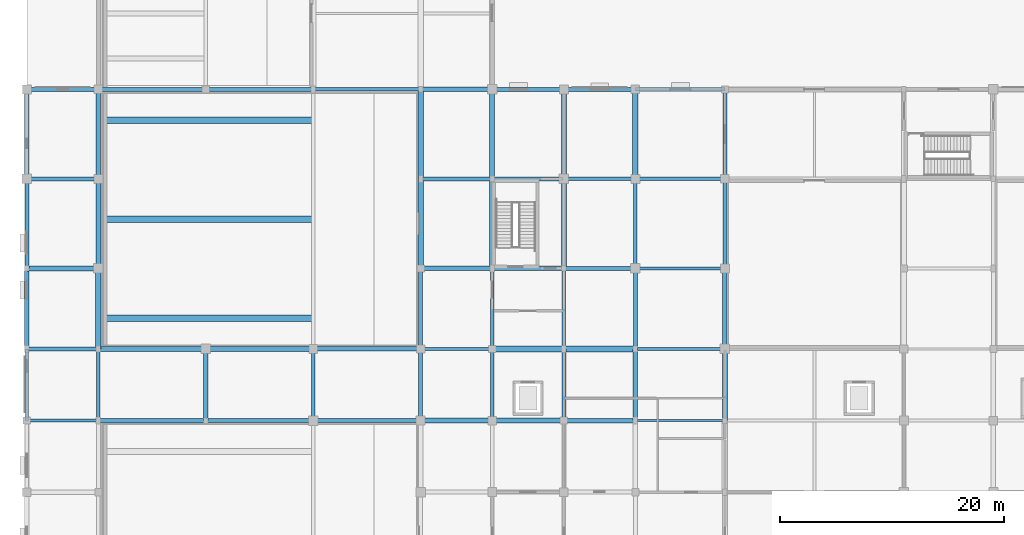
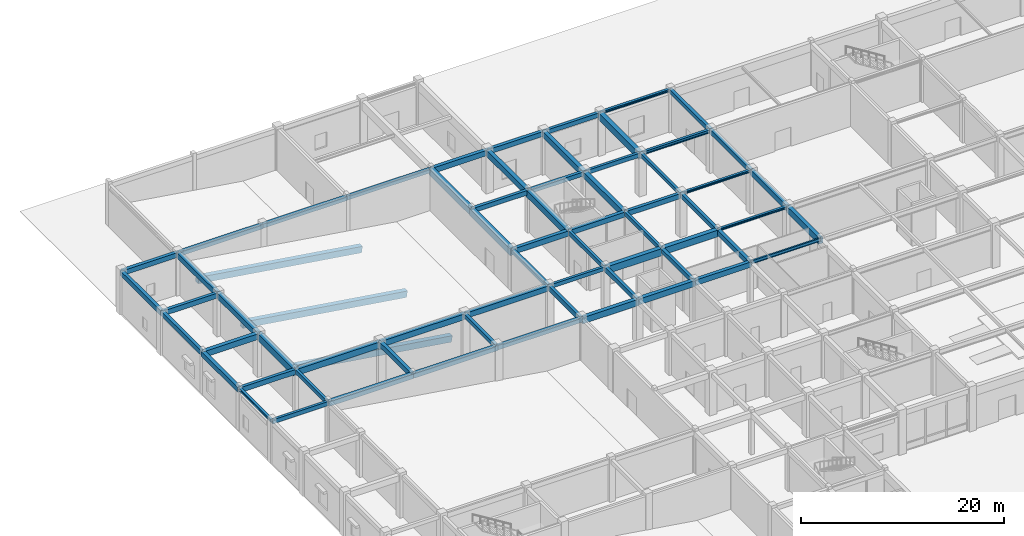
# One storey, part 13 of 40: 67 beams.
"""IFC4 building model written with IfcOpenShell, lengths in metres."""

from ifc_helpers import new_model, si_unit, direction, frame, origin, origin_2d, place, context, subcontext, project, spatial, rectangle, i_section, extrude, material, material_profile, profile_set, type_object, element, save


model = new_model("IFC4")

# Units and contexts
model_context = context("Model", 3, precision=1e-05, world=origin(), true_north=direction((0.0, 1.0)))
body_context = subcontext(model_context, "Body", "Model", "MODEL_VIEW")
ifc_project = project(units=[si_unit("LENGTHUNIT", "METRE"), si_unit("AREAUNIT", "SQUARE_METRE"), si_unit("VOLUMEUNIT", "CUBIC_METRE"), si_unit("PLANEANGLEUNIT", "RADIAN"), si_unit("MASSUNIT", "GRAM", prefix="KILO")], contexts=[model_context])

# Site, building, storey
site_placement = place(None, origin())
site = spatial("IfcSite", under=ifc_project, at=site_placement, CompositionType="ELEMENT")
building_placement = place(site_placement, origin())
building = spatial("IfcBuilding", under=site, at=building_placement, Name="Vellmiral Cinema and Media Centre", CompositionType="ELEMENT")
storey_placement = place(building_placement, origin())
storey = spatial("IfcBuildingStorey", under=building, at=storey_placement, Name="L00", CompositionType="ELEMENT", Elevation=0.0)

# Beams
ifc_material_1 = material(Name="Concrete C40/50", Category="concrete")
ifc_material_profile_1 = material_profile(ifc_material_1, rectangle(XDim=0.300048828125, YDim=0.449951171875, at=origin_2d()), Name="RC 300x450")
ifc_profile_set_1 = profile_set([ifc_material_profile_1], Name="Concrete C40/50")
beam_type_1 = type_object("IfcBeamType", Name="BM-RC-300x450", PredefinedType="BEAM", material=ifc_profile_set_1)
beam_1_placement = place(storey_placement, frame((35.199951171875, 72.0, 4.85009765625), z_axis=(1.0, 0.0, 0.0), x_axis=(0.0, 1.0, 0.0)))
element("IfcBeam", 1, at=beam_1_placement, inside=storey, type_object=beam_type_1, Name="Grid Beam L00-X107", PredefinedType="BEAM", context=body_context, shape_type="SweptSolid", body=[
    extrude(rectangle(XDim=0.300048828125, YDim=0.449951171875, at=origin_2d()), origin(), (0.0, 0.0, 1.0), 6.400146484375),
])
beam_2_placement = place(storey_placement, frame((48.0, 72.0, 4.85009765625), z_axis=(0.0, 1.0, 0.0), x_axis=(-1.0, 0.0, 0.0)))
element("IfcBeam", 2, at=beam_2_placement, inside=storey, type_object=beam_type_1, Name="Grid Beam L00-Y249", PredefinedType="BEAM", context=body_context, shape_type="SweptSolid", body=[
    extrude(rectangle(XDim=0.300048828125, YDim=0.449951171875, at=origin_2d()), origin(), (0.0, 0.0, 1.0), 7.199951171875),
])
beam_3_placement = place(storey_placement, frame((54.39990234375, 79.199951171875, 4.85009765625), z_axis=(0.0, 1.0, 0.0), x_axis=(-1.0, 0.0, 0.0)))
element("IfcBeam", 3, at=beam_3_placement, inside=storey, type_object=beam_type_1, Name="Grid Beam L00-Y258", PredefinedType="BEAM", context=body_context, shape_type="SweptSolid", body=[
    extrude(rectangle(XDim=0.300048828125, YDim=0.449951171875, at=origin_2d()), origin(), (0.0, 0.0, 1.0), 8.0),
])
ifc_material_2 = material(Name="Concrete C40/50", Category="concrete")
ifc_material_profile_2 = material_profile(ifc_material_2, rectangle(XDim=0.300048828125, YDim=0.5, at=origin_2d()), Name="RC 300x500")
ifc_profile_set_2 = profile_set([ifc_material_profile_2], Name="Concrete C40/50")
beam_type_2 = type_object("IfcBeamType", Name="BM-RC-300x500", PredefinedType="BEAM", material=ifc_profile_set_2)
for number, where, z_axis, x_axis, name in (
    (4, (0.0, 65.60009765625, 4.824951171875), (1.0, 0.0, 0.0), (0.0, 1.0, 0.0), "Grid Beam L00-X084"),
    (5, (48.0, 87.199951171875, 4.824951171875), (1.0, 0.0, 0.0), (0.0, 1.0, 0.0), "Grid Beam L00-X139"),
):
    element("IfcBeam", number, at=place(storey_placement, frame(where, z_axis=z_axis, x_axis=x_axis)), inside=storey, type_object=beam_type_2, Name=name, PredefinedType="BEAM", context=body_context, shape_type="SweptSolid", body=[
        extrude(rectangle(XDim=0.300048828125, YDim=0.5, at=origin_2d()), origin(), (0.0, 0.0, 1.0), 6.39990234375),
    ])
beam_4_placement = place(storey_placement, frame((25.60009765625, 95.199951171875, 4.824951171875), z_axis=(1.0, 0.0, 0.0), x_axis=(0.0, 1.0, 0.0)))
element("IfcBeam", 6, at=beam_4_placement, inside=storey, type_object=beam_type_2, Name="Grid Beam L00-X155", PredefinedType="BEAM", context=body_context, shape_type="SweptSolid", body=[
    extrude(rectangle(XDim=0.300048828125, YDim=0.5, at=origin_2d()), origin(), (0.0, 0.0, 1.0), 9.599853515625),
])
beam_5_placement = place(storey_placement, frame((6.39990234375, 65.60009765625, 4.824951171875), z_axis=(0.0, 1.0, 0.0), x_axis=(-1.0, 0.0, 0.0)))
element("IfcBeam", 7, at=beam_5_placement, inside=storey, type_object=beam_type_2, Name="Grid Beam L00-Y205", PredefinedType="BEAM", context=body_context, shape_type="SweptSolid", body=[
    extrude(rectangle(XDim=0.300048828125, YDim=0.5, at=origin_2d()), origin(), (0.0, 0.0, 1.0), 6.39990234375),
])
beam_6_placement = place(storey_placement, frame((41.60009765625, 72.0, 4.824951171875), z_axis=(0.0, 1.0, 0.0), x_axis=(-1.0, 0.0, 0.0)))
element("IfcBeam", 8, at=beam_6_placement, inside=storey, type_object=beam_type_2, Name="Grid Beam L00-Y237", PredefinedType="BEAM", context=body_context, shape_type="SweptSolid", body=[
    extrude(rectangle(XDim=0.300048828125, YDim=0.5, at=origin_2d()), origin(), (0.0, 0.0, 1.0), 7.199951171875),
])
ifc_material_3 = material(Name="Concrete C40/50", Category="concrete")
ifc_material_profile_3 = material_profile(ifc_material_3, rectangle(XDim=0.35009765625, YDim=0.5, at=origin_2d()), Name="RC 350x500")
ifc_profile_set_3 = profile_set([ifc_material_profile_3], Name="Concrete C40/50")
beam_type_3 = type_object("IfcBeamType", Name="BM-RC-350x500", PredefinedType="BEAM", material=ifc_profile_set_3)
beam_7_placement = place(storey_placement, frame((41.60009765625, 87.199951171875, 4.824951171875), z_axis=(1.0, 0.0, 0.0), x_axis=(0.0, 1.0, 0.0)))
element("IfcBeam", 9, at=beam_7_placement, inside=storey, type_object=beam_type_3, Name="Grid Beam L00-X138", PredefinedType="BEAM", context=body_context, shape_type="SweptSolid", body=[
    extrude(rectangle(XDim=0.35009765625, YDim=0.5, at=origin_2d()), origin(), (0.0, 0.0, 1.0), 6.39990234375),
])
beam_8_placement = place(storey_placement, frame((16.0, 95.199951171875, 4.824951171875), z_axis=(1.0, 0.0, 0.0), x_axis=(0.0, 1.0, 0.0)))
element("IfcBeam", 10, at=beam_8_placement, inside=storey, type_object=beam_type_3, Name="Grid Beam L00-X154", PredefinedType="BEAM", context=body_context, shape_type="SweptSolid", body=[
    extrude(rectangle(XDim=0.35009765625, YDim=0.5, at=origin_2d()), origin(), (0.0, 0.0, 1.0), 9.60009765625),
])
beam_9_placement = place(storey_placement, frame((25.60009765625, 65.60009765625, 4.824951171875), z_axis=(0.0, 1.0, 0.0), x_axis=(-1.0, 0.0, 0.0)))
element("IfcBeam", 11, at=beam_9_placement, inside=storey, type_object=beam_type_3, Name="Grid Beam L00-Y215", PredefinedType="BEAM", context=body_context, shape_type="SweptSolid", body=[
    extrude(rectangle(XDim=0.35009765625, YDim=0.5, at=origin_2d()), origin(), (0.0, 0.0, 1.0), 6.39990234375),
])
beam_10_placement = place(storey_placement, frame((35.199951171875, 72.0, 4.824951171875), z_axis=(0.0, 1.0, 0.0), x_axis=(-1.0, 0.0, 0.0)))
element("IfcBeam", 12, at=beam_10_placement, inside=storey, type_object=beam_type_3, Name="Grid Beam L00-Y225", PredefinedType="BEAM", context=body_context, shape_type="SweptSolid", body=[
    extrude(rectangle(XDim=0.35009765625, YDim=0.5, at=origin_2d()), origin(), (0.0, 0.0, 1.0), 7.199951171875),
])
beam_11_placement = place(storey_placement, frame((48.0, 65.60009765625, 4.824951171875), z_axis=(0.0, 1.0, 0.0), x_axis=(-1.0, 0.0, 0.0)))
element("IfcBeam", 13, at=beam_11_placement, inside=storey, type_object=beam_type_3, Name="Grid Beam L00-Y248", PredefinedType="BEAM", context=body_context, shape_type="SweptSolid", body=[
    extrude(rectangle(XDim=0.35009765625, YDim=0.5, at=origin_2d()), origin(), (0.0, 0.0, 1.0), 6.39990234375),
])
beam_12_placement = place(storey_placement, frame((62.39990234375, 87.199951171875, 4.824951171875), z_axis=(0.0, 1.0, 0.0), x_axis=(-1.0, 0.0, 0.0)))
element("IfcBeam", 14, at=beam_12_placement, inside=storey, type_object=beam_type_3, Name="Grid Beam L00-Y267", PredefinedType="BEAM", context=body_context, shape_type="SweptSolid", body=[
    extrude(rectangle(XDim=0.35009765625, YDim=0.5, at=origin_2d()), origin(), (0.0, 0.0, 1.0), 8.0),
])
ifc_material_4 = material(Name="Concrete C40/50", Category="concrete")
ifc_material_profile_4 = material_profile(ifc_material_4, rectangle(XDim=0.35009765625, YDim=0.550048828125, at=origin_2d()), Name="RC 350x550")
ifc_profile_set_4 = profile_set([ifc_material_profile_4], Name="Concrete C40/50")
beam_type_4 = type_object("IfcBeamType", Name="BM-RC-350x550", PredefinedType="BEAM", material=ifc_profile_set_4)
beam_13_placement = place(storey_placement, frame((25.60009765625, 65.60009765625, 4.800048828125), z_axis=(1.0, 0.0, 0.0), x_axis=(0.0, 1.0, 0.0)))
element("IfcBeam", 15, at=beam_13_placement, inside=storey, type_object=beam_type_4, Name="Grid Beam L00-X087", PredefinedType="BEAM", context=body_context, shape_type="SweptSolid", body=[
    extrude(rectangle(XDim=0.35009765625, YDim=0.550048828125, at=origin_2d()), origin(), (0.0, 0.0, 1.0), 9.599853515625),
])
beam_14_placement = place(storey_placement, frame((35.199951171875, 87.199951171875, 4.800048828125), z_axis=(1.0, 0.0, 0.0), x_axis=(0.0, 1.0, 0.0)))
element("IfcBeam", 16, at=beam_14_placement, inside=storey, type_object=beam_type_4, Name="Grid Beam L00-X137", PredefinedType="BEAM", context=body_context, shape_type="SweptSolid", body=[
    extrude(rectangle(XDim=0.35009765625, YDim=0.550048828125, at=origin_2d()), origin(), (0.0, 0.0, 1.0), 6.400146484375),
])
beam_15_placement = place(storey_placement, frame((6.39990234375, 95.199951171875, 4.800048828125), z_axis=(1.0, 0.0, 0.0), x_axis=(0.0, 1.0, 0.0)))
element("IfcBeam", 17, at=beam_15_placement, inside=storey, type_object=beam_type_4, Name="Grid Beam L00-X153", PredefinedType="BEAM", context=body_context, shape_type="SweptSolid", body=[
    extrude(rectangle(XDim=0.35009765625, YDim=0.550048828125, at=origin_2d()), origin(), (0.0, 0.0, 1.0), 9.60009765625),
])
beam_16_placement = place(storey_placement, frame((41.60009765625, 65.60009765625, 4.800048828125), z_axis=(0.0, 1.0, 0.0), x_axis=(-1.0, 0.0, 0.0)))
element("IfcBeam", 18, at=beam_16_placement, inside=storey, type_object=beam_type_4, Name="Grid Beam L00-Y236", PredefinedType="BEAM", context=body_context, shape_type="SweptSolid", body=[
    extrude(rectangle(XDim=0.35009765625, YDim=0.550048828125, at=origin_2d()), origin(), (0.0, 0.0, 1.0), 6.39990234375),
])
beam_17_placement = place(storey_placement, frame((54.39990234375, 72.0, 4.800048828125), z_axis=(0.0, 1.0, 0.0), x_axis=(-1.0, 0.0, 0.0)))
element("IfcBeam", 19, at=beam_17_placement, inside=storey, type_object=beam_type_4, Name="Grid Beam L00-Y257", PredefinedType="BEAM", context=body_context, shape_type="SweptSolid", body=[
    extrude(rectangle(XDim=0.35009765625, YDim=0.550048828125, at=origin_2d()), origin(), (0.0, 0.0, 1.0), 7.199951171875),
])
beam_18_placement = place(storey_placement, frame((62.39990234375, 79.199951171875, 4.800048828125), z_axis=(0.0, 1.0, 0.0), x_axis=(-1.0, 0.0, 0.0)))
element("IfcBeam", 20, at=beam_18_placement, inside=storey, type_object=beam_type_4, Name="Grid Beam L00-Y266", PredefinedType="BEAM", context=body_context, shape_type="SweptSolid", body=[
    extrude(rectangle(XDim=0.35009765625, YDim=0.550048828125, at=origin_2d()), origin(), (0.0, 0.0, 1.0), 8.0),
])
ifc_material_5 = material(Name="Concrete C40/50", Category="concrete")
ifc_material_profile_5 = material_profile(ifc_material_5, rectangle(XDim=0.35009765625, YDim=0.60009765625, at=origin_2d()), Name="RC 350x600")
ifc_profile_set_5 = profile_set([ifc_material_profile_5], Name="Concrete C40/50")
beam_type_5 = type_object("IfcBeamType", Name="BM-RC-350x600", PredefinedType="BEAM", material=ifc_profile_set_5)
beam_19_placement = place(storey_placement, frame((16.0, 65.60009765625, 4.77490234375), z_axis=(1.0, 0.0, 0.0), x_axis=(0.0, 1.0, 0.0)))
element("IfcBeam", 21, at=beam_19_placement, inside=storey, type_object=beam_type_5, Name="Grid Beam L00-X086", PredefinedType="BEAM", context=body_context, shape_type="SweptSolid", body=[
    extrude(rectangle(XDim=0.35009765625, YDim=0.60009765625, at=origin_2d()), origin(), (0.0, 0.0, 1.0), 9.60009765625),
])
for number, where, z_axis, x_axis, name in (
    (22, (0.0, 72.0, 4.77490234375), (1.0, 0.0, 0.0), (0.0, 1.0, 0.0), "Grid Beam L00-X103"),
    (23, (48.0, 79.199951171875, 4.77490234375), (1.0, 0.0, 0.0), (0.0, 1.0, 0.0), "Grid Beam L00-X125"),
    (24, (0.0, 87.199951171875, 4.77490234375), (1.0, 0.0, 0.0), (0.0, 1.0, 0.0), "Grid Beam L00-X136"),
    (25, (35.199951171875, 65.60009765625, 4.77490234375), (0.0, 1.0, 0.0), (-1.0, 0.0, 0.0), "Grid Beam L00-Y224"),
):
    element("IfcBeam", number, at=place(storey_placement, frame(where, z_axis=z_axis, x_axis=x_axis)), inside=storey, type_object=beam_type_5, Name=name, PredefinedType="BEAM", context=body_context, shape_type="SweptSolid", body=[
        extrude(rectangle(XDim=0.35009765625, YDim=0.60009765625, at=origin_2d()), origin(), (0.0, 0.0, 1.0), 6.39990234375),
    ])
ifc_material_6 = material(Name="Concrete C40/50", Category="concrete")
ifc_material_profile_6 = material_profile(ifc_material_6, rectangle(XDim=0.39990234375, YDim=0.60009765625, at=origin_2d()), Name="RC 400x600")
ifc_profile_set_6 = profile_set([ifc_material_profile_6], Name="Concrete C40/50")
beam_type_6 = type_object("IfcBeamType", Name="BM-RC-400x600", PredefinedType="BEAM", material=ifc_profile_set_6)
beam_20_placement = place(storey_placement, frame((6.39990234375, 65.60009765625, 4.77490234375), z_axis=(1.0, 0.0, 0.0), x_axis=(0.0, 1.0, 0.0)))
element("IfcBeam", 26, at=beam_20_placement, inside=storey, type_object=beam_type_6, Name="Grid Beam L00-X085", PredefinedType="BEAM", context=body_context, shape_type="SweptSolid", body=[
    extrude(rectangle(XDim=0.39990234375, YDim=0.60009765625, at=origin_2d()), origin(), (0.0, 0.0, 1.0), 9.60009765625),
])
for number, where, z_axis, x_axis, name in (
    (27, (41.60009765625, 79.199951171875, 4.77490234375), (1.0, 0.0, 0.0), (0.0, 1.0, 0.0), "Grid Beam L00-X124"),
    (28, (16.0, 65.60009765625, 4.77490234375), (0.0, 1.0, 0.0), (-1.0, 0.0, 0.0), "Grid Beam L00-Y212"),
    (29, (54.39990234375, 65.60009765625, 4.77490234375), (0.0, 1.0, 0.0), (-1.0, 0.0, 0.0), "Grid Beam L00-Y256"),
):
    element("IfcBeam", number, at=place(storey_placement, frame(where, z_axis=z_axis, x_axis=x_axis)), inside=storey, type_object=beam_type_6, Name=name, PredefinedType="BEAM", context=body_context, shape_type="SweptSolid", body=[
        extrude(rectangle(XDim=0.39990234375, YDim=0.60009765625, at=origin_2d()), origin(), (0.0, 0.0, 1.0), 6.39990234375),
    ])
ifc_material_7 = material(Name="Concrete C40/50", Category="concrete")
ifc_material_profile_7 = material_profile(ifc_material_7, rectangle(XDim=0.39990234375, YDim=0.64990234375, at=origin_2d()), Name="RC 400x650")
ifc_profile_set_7 = profile_set([ifc_material_profile_7], Name="Concrete C40/50")
beam_type_7 = type_object("IfcBeamType", Name="BM-RC-400x650", PredefinedType="BEAM", material=ifc_profile_set_7)
beam_21_placement = place(storey_placement, frame((48.0, 65.60009765625, 4.75), z_axis=(1.0, 0.0, 0.0), x_axis=(0.0, 1.0, 0.0)))
element("IfcBeam", 30, at=beam_21_placement, inside=storey, type_object=beam_type_7, Name="Grid Beam L00-X090", PredefinedType="BEAM", context=body_context, shape_type="SweptSolid", body=[
    extrude(rectangle(XDim=0.39990234375, YDim=0.64990234375, at=origin_2d()), origin(), (0.0, 0.0, 1.0), 6.39990234375),
])
beam_22_placement = place(storey_placement, frame((25.60009765625, 72.0, 4.75), z_axis=(1.0, 0.0, 0.0), x_axis=(0.0, 1.0, 0.0)))
element("IfcBeam", 31, at=beam_22_placement, inside=storey, type_object=beam_type_7, Name="Grid Beam L00-X106", PredefinedType="BEAM", context=body_context, shape_type="SweptSolid", body=[
    extrude(rectangle(XDim=0.39990234375, YDim=0.64990234375, at=origin_2d()), origin(), (0.0, 0.0, 1.0), 9.599853515625),
])
for number, where, z_axis, x_axis, name in (
    (32, (35.199951171875, 79.199951171875, 4.75), (1.0, 0.0, 0.0), (0.0, 1.0, 0.0), "Grid Beam L00-X123"),
    (33, (35.199951171875, 95.199951171875, 4.75), (1.0, 0.0, 0.0), (0.0, 1.0, 0.0), "Grid Beam L00-X156"),
):
    element("IfcBeam", number, at=place(storey_placement, frame(where, z_axis=z_axis, x_axis=x_axis)), inside=storey, type_object=beam_type_7, Name=name, PredefinedType="BEAM", context=body_context, shape_type="SweptSolid", body=[
        extrude(rectangle(XDim=0.39990234375, YDim=0.64990234375, at=origin_2d()), origin(), (0.0, 0.0, 1.0), 6.400146484375),
    ])
beam_23_placement = place(storey_placement, frame((6.39990234375, 87.199951171875, 4.75), z_axis=(0.0, 1.0, 0.0), x_axis=(-1.0, 0.0, 0.0)))
element("IfcBeam", 34, at=beam_23_placement, inside=storey, type_object=beam_type_7, Name="Grid Beam L00-Y208", PredefinedType="BEAM", context=body_context, shape_type="SweptSolid", body=[
    extrude(rectangle(XDim=0.39990234375, YDim=0.64990234375, at=origin_2d()), origin(), (0.0, 0.0, 1.0), 8.0),
])
beam_24_placement = place(storey_placement, frame((62.39990234375, 72.0, 4.75), z_axis=(0.0, 1.0, 0.0), x_axis=(-1.0, 0.0, 0.0)))
element("IfcBeam", 35, at=beam_24_placement, inside=storey, type_object=beam_type_7, Name="Grid Beam L00-Y265", PredefinedType="BEAM", context=body_context, shape_type="SweptSolid", body=[
    extrude(rectangle(XDim=0.39990234375, YDim=0.64990234375, at=origin_2d()), origin(), (0.0, 0.0, 1.0), 7.199951171875),
])
ifc_material_8 = material(Name="Concrete C40/50", Category="concrete")
ifc_material_profile_8 = material_profile(ifc_material_8, rectangle(XDim=0.449951171875, YDim=0.699951171875, at=origin_2d()), Name="RC 450x700")
ifc_profile_set_8 = profile_set([ifc_material_profile_8], Name="Concrete C40/50")
beam_type_8 = type_object("IfcBeamType", Name="BM-RC-450x700", PredefinedType="BEAM", material=ifc_profile_set_8)
beam_25_placement = place(storey_placement, frame((41.60009765625, 65.60009765625, 4.72509765625), z_axis=(1.0, 0.0, 0.0), x_axis=(0.0, 1.0, 0.0)))
element("IfcBeam", 36, at=beam_25_placement, inside=storey, type_object=beam_type_8, Name="Grid Beam L00-X089", PredefinedType="BEAM", context=body_context, shape_type="SweptSolid", body=[
    extrude(rectangle(XDim=0.449951171875, YDim=0.699951171875, at=origin_2d()), origin(), (0.0, 0.0, 1.0), 6.39990234375),
])
beam_26_placement = place(storey_placement, frame((16.0, 72.0, 4.72509765625), z_axis=(1.0, 0.0, 0.0), x_axis=(0.0, 1.0, 0.0)))
element("IfcBeam", 37, at=beam_26_placement, inside=storey, type_object=beam_type_8, Name="Grid Beam L00-X105", PredefinedType="BEAM", context=body_context, shape_type="SweptSolid", body=[
    extrude(rectangle(XDim=0.449951171875, YDim=0.699951171875, at=origin_2d()), origin(), (0.0, 0.0, 1.0), 9.60009765625),
])
beam_27_placement = place(storey_placement, frame((0.0, 79.199951171875, 4.72509765625), z_axis=(1.0, 0.0, 0.0), x_axis=(0.0, 1.0, 0.0)))
element("IfcBeam", 38, at=beam_27_placement, inside=storey, type_object=beam_type_8, Name="Grid Beam L00-X122", PredefinedType="BEAM", context=body_context, shape_type="SweptSolid", body=[
    extrude(rectangle(XDim=0.449951171875, YDim=0.699951171875, at=origin_2d()), origin(), (0.0, 0.0, 1.0), 6.39990234375),
])
for number, where, z_axis, x_axis, name in (
    (39, (6.39990234375, 79.199951171875, 4.72509765625), (0.0, 1.0, 0.0), (-1.0, 0.0, 0.0), "Grid Beam L00-Y207"),
    (40, (48.0, 87.199951171875, 4.72509765625), (0.0, 1.0, 0.0), (-1.0, 0.0, 0.0), "Grid Beam L00-Y251"),
):
    element("IfcBeam", number, at=place(storey_placement, frame(where, z_axis=z_axis, x_axis=x_axis)), inside=storey, type_object=beam_type_8, Name=name, PredefinedType="BEAM", context=body_context, shape_type="SweptSolid", body=[
        extrude(rectangle(XDim=0.449951171875, YDim=0.699951171875, at=origin_2d()), origin(), (0.0, 0.0, 1.0), 8.0),
    ])
ifc_material_9 = material(Name="Concrete C40/50", Category="concrete")
ifc_material_profile_9 = material_profile(ifc_material_9, rectangle(XDim=0.449951171875, YDim=0.75, at=origin_2d()), Name="RC 450x750")
ifc_profile_set_9 = profile_set([ifc_material_profile_9], Name="Concrete C40/50")
beam_type_9 = type_object("IfcBeamType", Name="BM-RC-450x750", PredefinedType="BEAM", material=ifc_profile_set_9)
beam_28_placement = place(storey_placement, frame((35.199951171875, 65.60009765625, 4.699951171875), z_axis=(1.0, 0.0, 0.0), x_axis=(0.0, 1.0, 0.0)))
element("IfcBeam", 41, at=beam_28_placement, inside=storey, type_object=beam_type_9, Name="Grid Beam L00-X088", PredefinedType="BEAM", context=body_context, shape_type="SweptSolid", body=[
    extrude(rectangle(XDim=0.449951171875, YDim=0.75, at=origin_2d()), origin(), (0.0, 0.0, 1.0), 6.400146484375),
])
beam_29_placement = place(storey_placement, frame((6.39990234375, 72.0, 4.699951171875), z_axis=(1.0, 0.0, 0.0), x_axis=(0.0, 1.0, 0.0)))
element("IfcBeam", 42, at=beam_29_placement, inside=storey, type_object=beam_type_9, Name="Grid Beam L00-X104", PredefinedType="BEAM", context=body_context, shape_type="SweptSolid", body=[
    extrude(rectangle(XDim=0.449951171875, YDim=0.75, at=origin_2d()), origin(), (0.0, 0.0, 1.0), 9.60009765625),
])
for number, where, z_axis, x_axis, name in (
    (43, (41.60009765625, 87.199951171875, 4.699951171875), (0.0, 1.0, 0.0), (-1.0, 0.0, 0.0), "Grid Beam L00-Y239"),
    (44, (48.0, 79.199951171875, 4.699951171875), (0.0, 1.0, 0.0), (-1.0, 0.0, 0.0), "Grid Beam L00-Y250"),
):
    element("IfcBeam", number, at=place(storey_placement, frame(where, z_axis=z_axis, x_axis=x_axis)), inside=storey, type_object=beam_type_9, Name=name, PredefinedType="BEAM", context=body_context, shape_type="SweptSolid", body=[
        extrude(rectangle(XDim=0.449951171875, YDim=0.75, at=origin_2d()), origin(), (0.0, 0.0, 1.0), 8.0),
    ])
beam_30_placement = place(storey_placement, frame((62.39990234375, 65.60009765625, 4.699951171875), z_axis=(0.0, 1.0, 0.0), x_axis=(-1.0, 0.0, 0.0)))
element("IfcBeam", 45, at=beam_30_placement, inside=storey, type_object=beam_type_9, Name="Grid Beam L00-Y264", PredefinedType="BEAM", context=body_context, shape_type="SweptSolid", body=[
    extrude(rectangle(XDim=0.449951171875, YDim=0.75, at=origin_2d()), origin(), (0.0, 0.0, 1.0), 6.39990234375),
])
ifc_material_10 = material(Name="Concrete C40/50", Category="concrete")
ifc_material_profile_10 = material_profile(ifc_material_10, rectangle(XDim=0.5, YDim=0.800048828125, at=origin_2d()), Name="RC 500x800")
ifc_profile_set_10 = profile_set([ifc_material_profile_10], Name="Concrete C40/50")
beam_type_10 = type_object("IfcBeamType", Name="BM-RC-500x800", PredefinedType="BEAM", material=ifc_profile_set_10)
beam_31_placement = place(storey_placement, frame((48.0, 72.0, 4.675048828125), z_axis=(1.0, 0.0, 0.0), x_axis=(0.0, 1.0, 0.0)))
element("IfcBeam", 46, at=beam_31_placement, inside=storey, type_object=beam_type_10, Name="Grid Beam L00-X109", PredefinedType="BEAM", context=body_context, shape_type="SweptSolid", body=[
    extrude(rectangle(XDim=0.5, YDim=0.800048828125, at=origin_2d()), origin(), (0.0, 0.0, 1.0), 6.39990234375),
])
for number, where, z_axis, x_axis, name in (
    (47, (35.199951171875, 87.199951171875, 4.675048828125), (0.0, 1.0, 0.0), (-1.0, 0.0, 0.0), "Grid Beam L00-Y227"),
    (48, (41.60009765625, 79.199951171875, 4.675048828125), (0.0, 1.0, 0.0), (-1.0, 0.0, 0.0), "Grid Beam L00-Y238"),
):
    element("IfcBeam", number, at=place(storey_placement, frame(where, z_axis=z_axis, x_axis=x_axis)), inside=storey, type_object=beam_type_10, Name=name, PredefinedType="BEAM", context=body_context, shape_type="SweptSolid", body=[
        extrude(rectangle(XDim=0.5, YDim=0.800048828125, at=origin_2d()), origin(), (0.0, 0.0, 1.0), 8.0),
    ])
ifc_material_11 = material(Name="Concrete C40/50", Category="concrete")
ifc_material_profile_11 = material_profile(ifc_material_11, rectangle(XDim=0.5, YDim=0.85009765625, at=origin_2d()), Name="RC 500x850")
ifc_profile_set_11 = profile_set([ifc_material_profile_11], Name="Concrete C40/50")
beam_type_11 = type_object("IfcBeamType", Name="BM-RC-500x850", PredefinedType="BEAM", material=ifc_profile_set_11)
beam_32_placement = place(storey_placement, frame((41.60009765625, 72.0, 4.64990234375), z_axis=(1.0, 0.0, 0.0), x_axis=(0.0, 1.0, 0.0)))
element("IfcBeam", 49, at=beam_32_placement, inside=storey, type_object=beam_type_11, Name="Grid Beam L00-X108", PredefinedType="BEAM", context=body_context, shape_type="SweptSolid", body=[
    extrude(rectangle(XDim=0.5, YDim=0.85009765625, at=origin_2d()), origin(), (0.0, 0.0, 1.0), 6.39990234375),
])
beam_33_placement = place(storey_placement, frame((6.39990234375, 72.0, 4.64990234375), z_axis=(0.0, 1.0, 0.0), x_axis=(-1.0, 0.0, 0.0)))
element("IfcBeam", 50, at=beam_33_placement, inside=storey, type_object=beam_type_11, Name="Grid Beam L00-Y206", PredefinedType="BEAM", context=body_context, shape_type="SweptSolid", body=[
    extrude(rectangle(XDim=0.5, YDim=0.85009765625, at=origin_2d()), origin(), (0.0, 0.0, 1.0), 7.199951171875),
])
for number, where, z_axis, x_axis, name in (
    (51, (35.199951171875, 79.199951171875, 4.64990234375), (0.0, 1.0, 0.0), (-1.0, 0.0, 0.0), "Grid Beam L00-Y226"),
    (52, (54.39990234375, 87.199951171875, 4.64990234375), (0.0, 1.0, 0.0), (-1.0, 0.0, 0.0), "Grid Beam L00-Y259"),
):
    element("IfcBeam", number, at=place(storey_placement, frame(where, z_axis=z_axis, x_axis=x_axis)), inside=storey, type_object=beam_type_11, Name=name, PredefinedType="BEAM", context=body_context, shape_type="SweptSolid", body=[
        extrude(rectangle(XDim=0.5, YDim=0.85009765625, at=origin_2d()), origin(), (0.0, 0.0, 1.0), 8.0),
    ])
ifc_material_12 = material(Name="Concrete C40/50", Category="concrete")
ifc_material_profile_12 = material_profile(ifc_material_12, rectangle(XDim=0.550048828125, YDim=0.75, at=origin_2d()), Name="RC 550x750")
ifc_profile_set_12 = profile_set([ifc_material_profile_12], Name="Concrete C40/50")
beam_type_12 = type_object("IfcBeamType", Name="RAKER-BMG-550x750", PredefinedType="BEAM", material=ifc_profile_set_12)
for number, where, z_axis, x_axis, name in (
    (53, (7.0, 74.75, 3.167236328125), (0.988997018844, 0.0, -0.147935447809), (0.0, 1.0, 0.0), "Cinema Screen 3 Raker Beam 1"),
    (54, (7.0, 83.60009765625, 3.167236328125), (0.988997018844, 0.0, -0.147935447809), (0.0, 1.0, 0.0), "Cinema Screen 3 Raker Beam 2"),
    (55, (7.0, 92.449951171875, 3.167236328125), (0.988997018844, 0.0, -0.147935447809), (0.0, 1.0, 0.0), "Cinema Screen 3 Raker Beam 3"),
):
    element("IfcBeam", number, at=place(storey_placement, frame(where, z_axis=z_axis, x_axis=x_axis)), inside=storey, type_object=beam_type_12, Name=name, PredefinedType="BEAM", context=body_context, shape_type="SweptSolid", body=[
        extrude(rectangle(XDim=0.550048828125, YDim=0.75, at=origin_2d()), origin(), (0.0, 0.0, 1.0), 18.80712890625),
    ])
ifc_material_13 = material(Name="Steel S355", Category="steel")
ifc_material_profile_13 = material_profile(ifc_material_13, i_section(OverallWidth=0.300048828125, OverallDepth=0.389892578125, WebThickness=0.010986328125, FlangeThickness=0.01904296875, FilletRadius=0.027099609375, at=origin_2d()), Name="HEA 400")
ifc_profile_set_13 = profile_set([ifc_material_profile_13], Name="Steel S355")
beam_type_13 = type_object("IfcBeamType", Name="SBM-HEA400", PredefinedType="BEAM", material=ifc_profile_set_13)
beam_34_placement = place(storey_placement, frame((54.39990234375, 87.199951171875, 4.8798828125), z_axis=(1.0, 0.0, 0.0), x_axis=(0.0, 1.0, 0.0)))
element("IfcBeam", 56, at=beam_34_placement, inside=storey, type_object=beam_type_13, Name="Grid Beam L00-X140", PredefinedType="BEAM", context=body_context, shape_type="SweptSolid", body=[
    extrude(i_section(OverallWidth=0.300048828125, OverallDepth=0.389892578125, WebThickness=0.010986328125, FlangeThickness=0.01904296875, FilletRadius=0.027099609375, at=origin_2d()), origin(), (0.0, 0.0, 1.0), 8.0),
])
ifc_material_14 = material(Name="Steel S355", Category="steel")
ifc_material_profile_14 = material_profile(ifc_material_14, i_section(OverallWidth=0.280029296875, OverallDepth=0.280029296875, WebThickness=0.010498046875, FlangeThickness=0.01806640625, FilletRadius=0.02392578125, at=origin_2d()), Name="HEB 280")
ifc_profile_set_14 = profile_set([ifc_material_profile_14], Name="Steel S355")
beam_type_14 = type_object("IfcBeamType", Name="SBM-HEB280", PredefinedType="BEAM", material=ifc_profile_set_14)
for number, where, z_axis, x_axis, name in (
    (57, (54.39990234375, 72.0, 4.93505859375), (1.0, 0.0, 0.0), (0.0, 1.0, 0.0), "Grid Beam L00-X110"),
    (58, (54.39990234375, 79.199951171875, 4.93505859375), (1.0, 0.0, 0.0), (0.0, 1.0, 0.0), "Grid Beam L00-X126"),
):
    element("IfcBeam", number, at=place(storey_placement, frame(where, z_axis=z_axis, x_axis=x_axis)), inside=storey, type_object=beam_type_14, Name=name, PredefinedType="BEAM", context=body_context, shape_type="SweptSolid", body=[
        extrude(i_section(OverallWidth=0.280029296875, OverallDepth=0.280029296875, WebThickness=0.010498046875, FlangeThickness=0.01806640625, FilletRadius=0.02392578125, at=origin_2d()), origin(), (0.0, 0.0, 1.0), 8.0),
    ])
ifc_material_15 = material(Name="Steel S355", Category="steel")
ifc_material_profile_15 = material_profile(ifc_material_15, i_section(OverallWidth=0.300048828125, OverallDepth=0.300048828125, WebThickness=0.010986328125, FlangeThickness=0.01904296875, FilletRadius=0.027099609375, at=origin_2d()), Name="HEB 300")
ifc_profile_set_15 = profile_set([ifc_material_profile_15], Name="Steel S355")
beam_type_15 = type_object("IfcBeamType", Name="SBM-HEB300", PredefinedType="SPANDREL", material=ifc_profile_set_15)
beam_35_placement = place(storey_placement, frame((54.39990234375, 95.199951171875, 4.925048828125), z_axis=(1.0, 0.0, 0.0), x_axis=(0.0, 1.0, 0.0)))
element("IfcBeam", 59, at=beam_35_placement, inside=storey, type_object=beam_type_15, Name="Grid Beam L00-X159", PredefinedType="SPANDREL", context=body_context, shape_type="SweptSolid", body=[
    extrude(i_section(OverallWidth=0.300048828125, OverallDepth=0.300048828125, WebThickness=0.010986328125, FlangeThickness=0.01904296875, FilletRadius=0.027099609375, at=origin_2d()), origin(), (0.0, 0.0, 1.0), 8.0),
])
beam_36_placement = place(storey_placement, frame((0.0, 65.60009765625, 4.925048828125), z_axis=(0.0, 1.0, 0.0), x_axis=(-1.0, 0.0, 0.0)))
element("IfcBeam", 60, at=beam_36_placement, inside=storey, type_object=beam_type_15, Name="Grid Beam L00-Y194", PredefinedType="SPANDREL", context=body_context, shape_type="SweptSolid", body=[
    extrude(i_section(OverallWidth=0.300048828125, OverallDepth=0.300048828125, WebThickness=0.010986328125, FlangeThickness=0.01904296875, FilletRadius=0.027099609375, at=origin_2d()), origin(), (0.0, 0.0, 1.0), 6.39990234375),
])
ifc_material_16 = material(Name="Steel S355", Category="steel")
ifc_material_profile_16 = material_profile(ifc_material_16, i_section(OverallWidth=0.179931640625, OverallDepth=0.39990234375, WebThickness=0.008544921875, FlangeThickness=0.013427734375, FilletRadius=0.02099609375, at=origin_2d()), Name="IPE 400")
ifc_profile_set_16 = profile_set([ifc_material_profile_16], Name="Steel S355")
beam_type_16 = type_object("IfcBeamType", Name="SBM-IPE400", PredefinedType="BEAM", material=ifc_profile_set_16)
beam_37_placement = place(storey_placement, frame((54.39990234375, 65.60009765625, 4.875), z_axis=(1.0, 0.0, 0.0), x_axis=(0.0, 1.0, 0.0)))
element("IfcBeam", 61, at=beam_37_placement, inside=storey, type_object=beam_type_16, Name="Grid Beam L00-X091", PredefinedType="BEAM", context=body_context, shape_type="SweptSolid", body=[
    extrude(i_section(OverallWidth=0.179931640625, OverallDepth=0.39990234375, WebThickness=0.008544921875, FlangeThickness=0.013427734375, FilletRadius=0.02099609375, at=origin_2d()), origin(), (0.0, 0.0, 1.0), 8.0),
])
ifc_material_17 = material(Name="Concrete C40/50", Category="concrete")
ifc_material_profile_17 = material_profile(ifc_material_17, rectangle(XDim=0.35009765625, YDim=0.56005859375, at=origin_2d()), Name="RC 350x560")
ifc_profile_set_17 = profile_set([ifc_material_profile_17], Name="Concrete C40/50")
beam_type_17 = type_object("IfcBeamType", Name="SPD-RC-350x560", PredefinedType="SPANDREL", material=ifc_profile_set_17)
beam_38_placement = place(storey_placement, frame((0.0, 79.199951171875, 4.794921875), z_axis=(0.0, 1.0, 0.0), x_axis=(-1.0, 0.0, 0.0)))
element("IfcBeam", 62, at=beam_38_placement, inside=storey, type_object=beam_type_17, Name="Grid Beam L00-Y196", PredefinedType="SPANDREL", context=body_context, shape_type="SweptSolid", body=[
    extrude(rectangle(XDim=0.35009765625, YDim=0.56005859375, at=origin_2d()), origin(), (0.0, 0.0, 1.0), 8.0),
])
ifc_material_18 = material(Name="Concrete C40/50", Category="concrete")
ifc_material_profile_18 = material_profile(ifc_material_18, rectangle(XDim=0.39990234375, YDim=0.60009765625, at=origin_2d()), Name="RC 400x600")
ifc_profile_set_18 = profile_set([ifc_material_profile_18], Name="Concrete C40/50")
beam_type_18 = type_object("IfcBeamType", Name="SPD-RC-400x600", PredefinedType="SPANDREL", material=ifc_profile_set_18)
beam_39_placement = place(storey_placement, frame((0.0, 72.0, 4.77490234375), z_axis=(0.0, 1.0, 0.0), x_axis=(-1.0, 0.0, 0.0)))
element("IfcBeam", 63, at=beam_39_placement, inside=storey, type_object=beam_type_18, Name="Grid Beam L00-Y195", PredefinedType="SPANDREL", context=body_context, shape_type="SweptSolid", body=[
    extrude(rectangle(XDim=0.39990234375, YDim=0.60009765625, at=origin_2d()), origin(), (0.0, 0.0, 1.0), 7.199951171875),
])
ifc_material_19 = material(Name="Vosges Red Sandstone Masonry", Category="masonry")
ifc_material_profile_19 = material_profile(ifc_material_19, rectangle(XDim=0.340087890625, YDim=0.52001953125, at=origin_2d()), Name="SAND 340x520")
ifc_profile_set_19 = profile_set([ifc_material_profile_19], Name="Vosges Red Sandstone Masonry")
beam_type_19 = type_object("IfcBeamType", Name="SPD-SAND-340x520", PredefinedType="SPANDREL", material=ifc_profile_set_19)
beam_40_placement = place(storey_placement, frame((48.0, 95.199951171875, 4.81494140625), z_axis=(1.0, 0.0, 0.0), x_axis=(0.0, 1.0, 0.0)))
element("IfcBeam", 64, at=beam_40_placement, inside=storey, type_object=beam_type_19, Name="Grid Beam L00-X158", PredefinedType="SPANDREL", context=body_context, shape_type="SweptSolid", body=[
    extrude(rectangle(XDim=0.340087890625, YDim=0.52001953125, at=origin_2d()), origin(), (0.0, 0.0, 1.0), 6.39990234375),
])
ifc_material_20 = material(Name="Vosges Red Sandstone Masonry", Category="masonry")
ifc_material_profile_20 = material_profile(ifc_material_20, rectangle(XDim=0.3798828125, YDim=0.580078125, at=origin_2d()), Name="SAND 380x580")
ifc_profile_set_20 = profile_set([ifc_material_profile_20], Name="Vosges Red Sandstone Masonry")
beam_type_20 = type_object("IfcBeamType", Name="SPD-SAND-380x580", PredefinedType="SPANDREL", material=ifc_profile_set_20)
for number, where, z_axis, x_axis, name in (
    (65, (0.0, 95.199951171875, 4.784912109375), (1.0, 0.0, 0.0), (0.0, 1.0, 0.0), "Grid Beam L00-X152"),
    (66, (41.60009765625, 95.199951171875, 4.784912109375), (1.0, 0.0, 0.0), (0.0, 1.0, 0.0), "Grid Beam L00-X157"),
):
    element("IfcBeam", number, at=place(storey_placement, frame(where, z_axis=z_axis, x_axis=x_axis)), inside=storey, type_object=beam_type_20, Name=name, PredefinedType="SPANDREL", context=body_context, shape_type="SweptSolid", body=[
        extrude(rectangle(XDim=0.3798828125, YDim=0.580078125, at=origin_2d()), origin(), (0.0, 0.0, 1.0), 6.39990234375),
    ])
beam_41_placement = place(storey_placement, frame((0.0, 87.199951171875, 4.784912109375), z_axis=(0.0, 1.0, 0.0), x_axis=(-1.0, 0.0, 0.0)))
element("IfcBeam", 67, at=beam_41_placement, inside=storey, type_object=beam_type_20, Name="Grid Beam L00-Y197", PredefinedType="SPANDREL", context=body_context, shape_type="SweptSolid", body=[
    extrude(rectangle(XDim=0.3798828125, YDim=0.580078125, at=origin_2d()), origin(), (0.0, 0.0, 1.0), 8.0),
])

save(model, "model.ifc")
